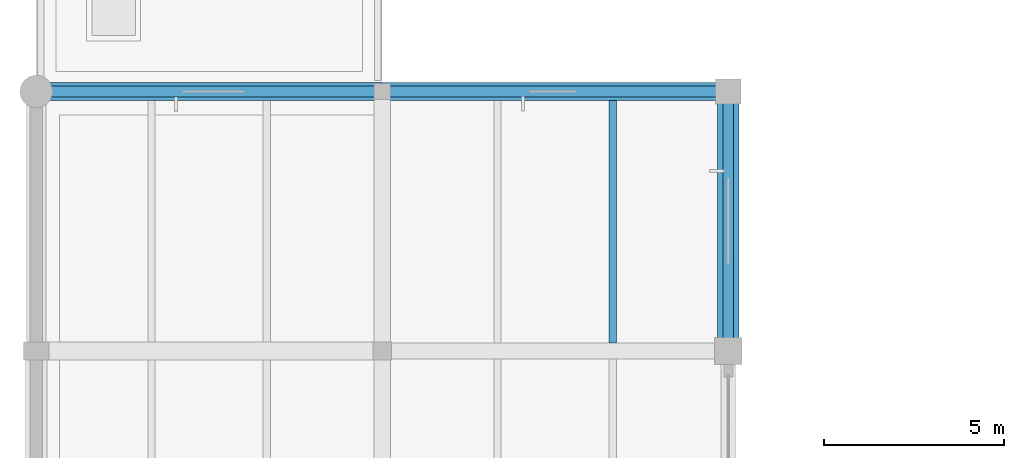
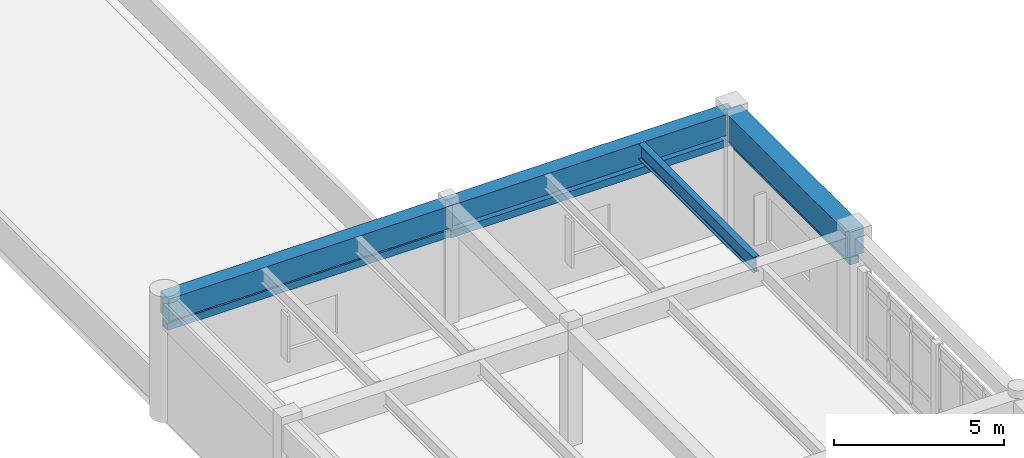
# One storey, part 13 of 109: 7 beams.
"""IFC4 building model written with IfcOpenShell, lengths in metres."""

from ifc_helpers import new_model, si_unit, direction, frame, origin, origin_2d, place, context, subcontext, project, spatial, rectangle, i_section, extrude, material, material_profile, profile_set, type_object, element, save


model = new_model("IFC4")

# Units and contexts
model_context = context("Model", 3, precision=1e-05, world=origin(), true_north=direction((0.0, 1.0)))
body_context = subcontext(model_context, "Body", "Model", "MODEL_VIEW")
ifc_project = project(units=[si_unit("LENGTHUNIT", "METRE"), si_unit("AREAUNIT", "SQUARE_METRE"), si_unit("VOLUMEUNIT", "CUBIC_METRE"), si_unit("PLANEANGLEUNIT", "RADIAN"), si_unit("MASSUNIT", "GRAM", prefix="KILO")], contexts=[model_context])

# Site, building, storey
site_placement = place(None, origin())
site = spatial("IfcSite", under=ifc_project, at=site_placement, CompositionType="ELEMENT")
building_placement = place(site_placement, origin())
building = spatial("IfcBuilding", under=site, at=building_placement, Name="Fikremerkos Civic Library", CompositionType="ELEMENT")
storey_placement = place(building_placement, frame((0.0, 0.0, 5.39990234375)))
storey = spatial("IfcBuildingStorey", under=building, at=storey_placement, Name="L01", CompositionType="ELEMENT", Elevation=5.39990234375)

# Beams
ifc_material_1 = material(Name="Steel S355", Category="steel")
ifc_material_profile_1 = material_profile(ifc_material_1, i_section(OverallWidth=0.2099609375, OverallDepth=0.550048828125, WebThickness=0.010986328125, FlangeThickness=0.01708984375, FilletRadius=0.02392578125, at=origin_2d()), Name="IPE 550")
ifc_profile_set_1 = profile_set([ifc_material_profile_1], Name="Steel S355")
beam_type_1 = type_object("IfcBeamType", Name="Floor joist JS-05 IPE 550", PredefinedType="JOIST", material=ifc_profile_set_1)
beam_1_placement = place(storey_placement, frame((16.0, 41.02490234375, 3.985107421875), z_axis=(0.0, 1.0, 0.0), x_axis=(-1.0, 0.0, 0.0)))
element("IfcBeam", 1, at=beam_1_placement, inside=storey, type_object=beam_type_1, Name="Floor joist JS-05 L01 #411", PredefinedType="JOIST", context=body_context, shape_type="SweptSolid", body=[
    extrude(i_section(OverallWidth=0.2099609375, OverallDepth=0.550048828125, WebThickness=0.010986328125, FlangeThickness=0.01708984375, FilletRadius=0.02392578125, at=origin_2d()), origin(), (0.0, 0.0, 1.0), 6.72509765625),
])
ifc_material_2 = material(Name="Concrete C40/50", Category="concrete")
ifc_material_profile_2 = material_profile(ifc_material_2, rectangle(XDim=0.300048828125, YDim=0.260009765625, at=origin_2d()), Name="RC 300x260")
ifc_profile_set_2 = profile_set([ifc_material_profile_2], Name="Concrete C40/50")
beam_type_2 = type_object("IfcBeamType", Name="Opening lintel LNT-02 RC 300x260", PredefinedType="LINTEL", material=ifc_profile_set_2)
beam_2_placement = place(storey_placement, frame((0.0, 48.0, 3.2001953125), z_axis=(1.0, 0.0, 0.0), x_axis=(0.0, 1.0, 0.0)))
element("IfcBeam", 2, at=beam_2_placement, inside=storey, type_object=beam_type_2, Name="Courtyard window head lintel LNT-02 L01 #15", PredefinedType="LINTEL", context=body_context, shape_type="SweptSolid", body=[
    extrude(rectangle(XDim=0.300048828125, YDim=0.260009765625, at=origin_2d()), origin(), (0.0, 0.0, 1.0), 9.60009765625),
])
beam_3_placement = place(storey_placement, frame((9.60009765625, 48.0, 3.150146484375), z_axis=(1.0, 0.0, 0.0), x_axis=(0.0, 1.0, 0.0)))
element("IfcBeam", 3, at=beam_3_placement, inside=storey, type_object=beam_type_2, Name="Courtyard window head lintel LNT-02 L01 #16", PredefinedType="LINTEL", context=body_context, shape_type="SweptSolid", body=[
    extrude(rectangle(XDim=0.300048828125, YDim=0.260009765625, at=origin_2d()), origin(), (0.0, 0.0, 1.0), 9.599853515625),
])
beam_4_placement = place(storey_placement, frame((19.199951171875, 48.0, 3.150146484375), z_axis=(0.0, -1.0, 0.0), x_axis=(1.0, 0.0, 0.0)))
element("IfcBeam", 4, at=beam_4_placement, inside=storey, type_object=beam_type_2, Name="Courtyard window head lintel LNT-02 L01 #17", PredefinedType="LINTEL", context=body_context, shape_type="SweptSolid", body=[
    extrude(rectangle(XDim=0.300048828125, YDim=0.260009765625, at=origin_2d()), origin(), (0.0, 0.0, 1.0), 7.199951171875),
])
ifc_material_profile_3 = material_profile(ifc_material_2, rectangle(XDim=0.60009765625, YDim=0.949951171875, at=origin_2d()), Name="RC 600x950")
ifc_profile_set_3 = profile_set([ifc_material_profile_3], Name="Concrete C40/50")
beam_type_3 = type_object("IfcBeamType", Name="Primary girder BM-01 RC 600x950", PredefinedType="BEAM", material=ifc_profile_set_3)
beam_5_placement = place(storey_placement, frame((19.199951171875, 40.800048828125, 3.78515625), z_axis=(0.0, 1.0, 0.0), x_axis=(-1.0, 0.0, 0.0)))
element("IfcBeam", 5, at=beam_5_placement, inside=storey, type_object=beam_type_3, Name="Primary girder BM-01 L01 grid 3", PredefinedType="BEAM", context=body_context, shape_type="SweptSolid", body=[
    extrude(rectangle(XDim=0.60009765625, YDim=0.949951171875, at=origin_2d()), origin(), (0.0, 0.0, 1.0), 7.199951171875),
])
ifc_material_profile_4 = material_profile(ifc_material_2, rectangle(XDim=0.5, YDim=0.800048828125, at=origin_2d()), Name="RC 500x800")
ifc_profile_set_4 = profile_set([ifc_material_profile_4], Name="Concrete C40/50")
beam_type_4 = type_object("IfcBeamType", Name="Primary girder BM-04 RC 500x800", PredefinedType="BEAM", material=ifc_profile_set_4)
beam_6_placement = place(storey_placement, frame((0.0, 48.0, 3.860107421875), z_axis=(1.0, 0.0, 0.0), x_axis=(0.0, 1.0, 0.0)))
element("IfcBeam", 6, at=beam_6_placement, inside=storey, type_object=beam_type_4, Name="Primary girder BM-04 L01 grid J", PredefinedType="BEAM", context=body_context, shape_type="SweptSolid", body=[
    extrude(rectangle(XDim=0.5, YDim=0.800048828125, at=origin_2d()), origin(), (0.0, 0.0, 1.0), 9.60009765625),
])
ifc_material_profile_5 = material_profile(ifc_material_2, rectangle(XDim=0.5, YDim=0.75, at=origin_2d()), Name="RC 500x750")
ifc_profile_set_5 = profile_set([ifc_material_profile_5], Name="Concrete C40/50")
beam_type_5 = type_object("IfcBeamType", Name="Primary girder BM-05 RC 500x750", PredefinedType="BEAM", material=ifc_profile_set_5)
beam_7_placement = place(storey_placement, frame((9.60009765625, 48.0, 3.885009765625), z_axis=(1.0, 0.0, 0.0), x_axis=(0.0, 1.0, 0.0)))
element("IfcBeam", 7, at=beam_7_placement, inside=storey, type_object=beam_type_5, Name="Primary girder BM-05 L01 grid J", PredefinedType="BEAM", context=body_context, shape_type="SweptSolid", body=[
    extrude(rectangle(XDim=0.5, YDim=0.75, at=origin_2d()), origin(), (0.0, 0.0, 1.0), 9.599853515625),
])

save(model, "model.ifc")
